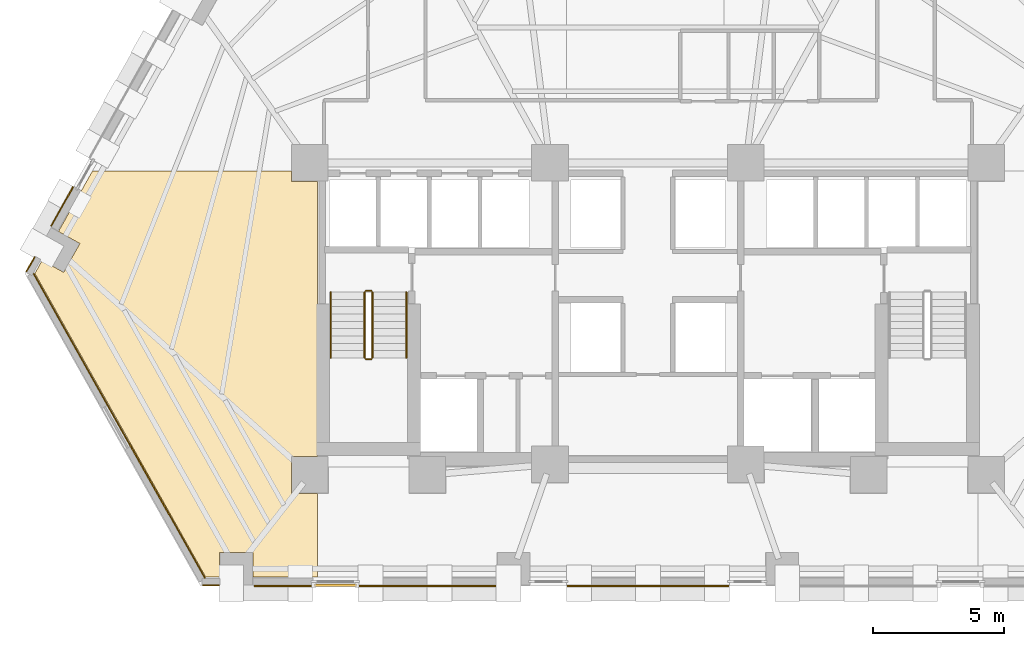
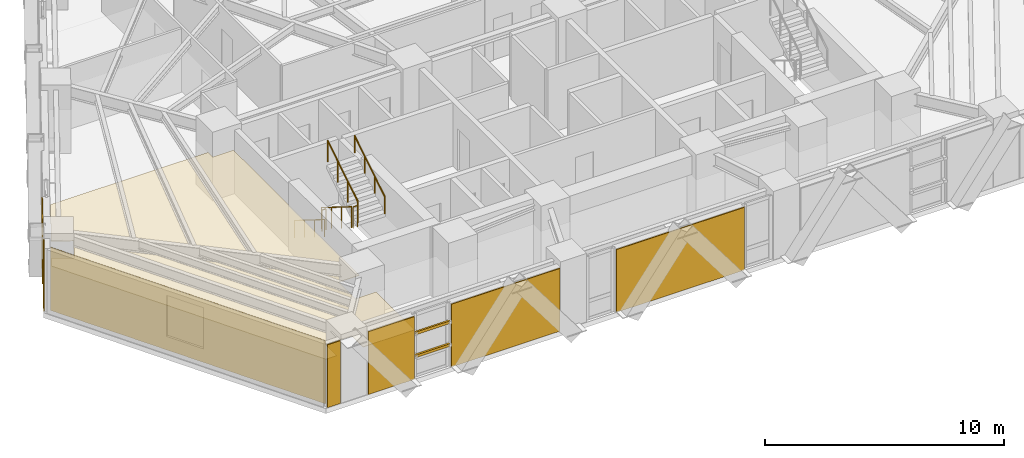
# One storey, part 10 of 13: 8 coverings, 6 railings, 2 shading devices.
"""IFC4 building model written with IfcOpenShell, lengths in metres."""

from ifc_helpers import new_model, si_unit, direction, frame, origin, origin_2d, place, context, subcontext, project, spatial, polyline, rectangle, circle, outline, extrude, material, layer, layer_set, material_profile, profile_set, type_object, element, save


model = new_model("IFC4")

# Units and contexts
model_context = context("Model", 3, precision=1e-05, world=origin(), true_north=direction((0.0, 1.0)))
body_context = subcontext(model_context, "Body", "Model", "MODEL_VIEW")
ifc_project = project(units=[si_unit("LENGTHUNIT", "METRE"), si_unit("AREAUNIT", "SQUARE_METRE"), si_unit("VOLUMEUNIT", "CUBIC_METRE"), si_unit("PLANEANGLEUNIT", "RADIAN"), si_unit("MASSUNIT", "GRAM", prefix="KILO")], contexts=[model_context])

# Site, building, storey
site_placement = place(None, origin())
site = spatial("IfcSite", under=ifc_project, at=site_placement, CompositionType="ELEMENT")
building_placement = place(site_placement, origin())
building = spatial("IfcBuilding", under=site, at=building_placement, Name="Quenlor Broadcast Tower", CompositionType="ELEMENT")
storey_placement = place(building_placement, frame((0.0, 0.0, 55.60009765625)))
storey = spatial("IfcBuildingStorey", under=building, at=storey_placement, Name="L14", CompositionType="ELEMENT", Elevation=55.60009765625)

# Covering
ifc_material_1 = material(Name="Acoustic Mineral Fibre Board", Category="other")
ifc_layer_1 = layer(ifc_material_1, 0.02490234375)
ifc_layer_set_1 = layer_set([ifc_layer_1], Name="Acoustic Perforated Mineral Tile Ceiling 25")
covering_type_1 = type_object("IfcCoveringType", Name="Acoustic Perforated Mineral Tile Ceiling 25", PredefinedType="CEILING", material=ifc_layer_set_1)
covering_1_placement = place(storey_placement, frame((0.0, 0.0, 2.224853515625)))
element("IfcCovering", 1, at=covering_1_placement, inside=storey, type_object=covering_type_1, Name="L14 Acoustic Ceiling L14-37-3", PredefinedType="CEILING", context=body_context, shape_type="SweptSolid", body=[
    extrude(outline(polyline([(-21.754150390625, -7.890625), (-22.575927734375, -7.428466796875), (-21.27734375, -5.1201171875), (-13.657958984375, -5.1201171875), (-13.657958984375, -5.508056640625), (-12.64990234375, -5.508056640625), (-12.64990234375, -16.0419921875), (-13.657958984375, -16.0419921875), (-13.657958984375, -17.4580078125), (-12.64990234375, -17.4580078125), (-12.64990234375, -20.659912109375), (-15.132080078125, -20.659912109375), (-15.132080078125, -19.717041015625), (-16.398193359375, -19.717041015625), (-16.398193359375, -20.659912109375), (-16.937255859375, -20.659912109375), (-23.477783203125, -9.031982421875), (-23.196533203125, -8.531982421875), (-22.374755859375, -8.994140625), (-21.754150390625, -7.890625)])), origin(), (0.0, 0.0, 1.0), 0.025146484375),
])

# Shading devices
ifc_material_2 = material(Name="Architectural Terracotta Ceramic", Category="masonry")
ifc_material_profile = material_profile(ifc_material_2, rectangle(XDim=0.090087890625, YDim=0.139892578125, at=origin_2d()))
ifc_profile_set = profile_set([ifc_material_profile], Name="Architectural Terracotta Ceramic BAG90x140")
shading_device_type = type_object("IfcShadingDeviceType", Name="Copper Terracotta Baguette Solar Screen 140", PredefinedType="USERDEFINED", material=ifc_profile_set)
for number, where, z_axis, x_axis, name in (
    (2, (-11.146484375, -20.98291015625, 1.169921875), (-1.0, 0.0, 0.0), (0.0, -1.0, 0.0), "L14 Terracotta Baguette Screen 1"),
    (3, (-11.146484375, -20.98291015625, 2.33984375), (-1.0, 0.0, 0.0), (0.0, -1.0, 0.0), "L14 Terracotta Baguette Screen 2"),
):
    element("IfcShadingDevice", number, at=place(storey_placement, frame(where, z_axis=z_axis, x_axis=x_axis)), inside=storey, type_object=shading_device_type, Name=name, ObjectType="BAGUETTE", PredefinedType="USERDEFINED", context=body_context, shape_type="SweptSolid", body=[
        extrude(rectangle(XDim=0.090087890625, YDim=0.139892578125, at=origin_2d()), origin(), (0.0, 0.0, 1.0), 1.6484375),
    ])

# Coverings
ifc_material_3 = material(Name="Architectural Terracotta Ceramic", Category="masonry")
ifc_layer_2 = layer(ifc_material_3, 0.044921875)
ifc_layer_set_2 = layer_set([ifc_layer_2], Name="Fluted Terracotta Rainscreen Cladding Panel")
covering_type_2 = type_object("IfcCoveringType", Name="Fluted Terracotta Rainscreen Cladding Panel", PredefinedType="CLADDING", material=ifc_layer_set_2)
covering_2_placement = place(storey_placement, frame((0.0, 0.0, 0.02001953125)))
element("IfcCovering", 4, at=covering_2_placement, inside=storey, type_object=covering_type_2, Name="L14 Terracotta Rainscreen Cladding L14-SHD-SS1", PredefinedType="CLADDING", context=body_context, shape_type="SweptSolid", body=[
    extrude(outline(polyline([(-16.425048828125, -20.951904296875), (-17.0458984375, -20.951904296875), (-17.0458984375, -20.9970703125), (-16.425048828125, -20.9970703125), (-16.425048828125, -20.951904296875)])), origin(), (0.0, 0.0, 1.0), 3.2099609375),
])
covering_3_placement = place(storey_placement, frame((0.0, 0.0, 0.02001953125)))
element("IfcCovering", 5, at=covering_3_placement, inside=storey, type_object=covering_type_2, Name="L14 Terracotta Rainscreen Cladding L14-SC-SP1", PredefinedType="CLADDING", context=body_context, shape_type="SweptSolid", body=[
    extrude(outline(polyline([(-5.82080078125, -20.98193359375), (-11.07666015625, -20.98193359375), (-11.07666015625, -21.027099609375), (-5.82080078125, -21.027099609375), (-5.82080078125, -20.98193359375)])), origin(), (0.0, 0.0, 1.0), 3.2099609375),
])
covering_4_placement = place(storey_placement, frame((0.0, 0.0, 0.02001953125)))
element("IfcCovering", 6, at=covering_4_placement, inside=storey, type_object=covering_type_2, Name="L14 Terracotta Rainscreen Cladding L14-SC-SP2", PredefinedType="CLADDING", context=body_context, shape_type="SweptSolid", body=[
    extrude(outline(polyline([(-12.864990234375, -20.98193359375), (-15.085205078125, -20.98193359375), (-15.085205078125, -21.027099609375), (-12.864990234375, -21.027099609375), (-12.864990234375, -20.98193359375)])), origin(), (0.0, 0.0, 1.0), 3.2099609375),
])
covering_5_placement = place(storey_placement, frame((0.0, 0.0, 0.02001953125)))
element("IfcCovering", 7, at=covering_5_placement, inside=storey, type_object=covering_type_2, Name="L14 Terracotta Rainscreen Cladding L14-S-SP1", PredefinedType="CLADDING", context=body_context, shape_type="SweptSolid", body=[
    extrude(outline(polyline([(3.09619140625, -20.98193359375), (-3.09619140625, -20.98193359375), (-3.09619140625, -21.027099609375), (3.09619140625, -21.027099609375), (3.09619140625, -20.98193359375)])), origin(), (0.0, 0.0, 1.0), 3.2099609375),
])
covering_6_placement = place(storey_placement, frame((0.0, 0.0, 0.02001953125)))
element("IfcCovering", 8, at=covering_6_placement, inside=storey, type_object=covering_type_2, Name="L14 Terracotta Rainscreen Cladding L14-SHD-NWS0", PredefinedType="CLADDING", context=body_context, shape_type="SweptSolid", body=[
    extrude(outline(polyline([(-23.781982421875, -8.97705078125), (-23.464111328125, -8.412109375), (-23.50341796875, -8.39013671875), (-23.8212890625, -8.955078125), (-23.781982421875, -8.97705078125)])), origin(), (0.0, 0.0, 1.0), 3.2099609375),
])
covering_7_placement = place(storey_placement, frame((0.0, 0.0, 0.02001953125)))
element("IfcCovering", 9, at=covering_7_placement, inside=storey, type_object=covering_type_2, Name="L14 Terracotta Rainscreen Cladding L14-NWA-SP1", PredefinedType="CLADDING", context=body_context, shape_type="SweptSolid", body=[
    extrude(outline(polyline([(-22.83349609375, -7.2294921875), (-21.988525390625, -5.727294921875), (-22.027587890625, -5.705322265625), (-22.872802734375, -7.20751953125), (-22.83349609375, -7.2294921875)])), origin(), (0.0, 0.0, 1.0), 3.2099609375),
])
covering_8_placement = place(storey_placement, frame((0.0, 0.0, 0.02001953125)))
element("IfcCovering", 10, at=covering_8_placement, inside=storey, type_object=covering_type_2, Name="L14 Terracotta Rainscreen Cladding L14-CNR-04", PredefinedType="CLADDING", context=body_context, shape_type="SweptSolid", body=[
    extrude(outline(polyline([(-23.547607421875, -9.046875), (-16.98388671875, -20.71533203125), (-16.94482421875, -20.693359375), (-23.50830078125, -9.02490234375), (-23.547607421875, -9.046875)])), origin(), (0.0, 0.0, 1.0), 3.2099609375),
])

# Railings
ifc_material_4 = material(Name="Anodised Aluminium", Category="aluminium")
railing_type_1 = type_object("IfcRailingType", Name="Stainless Aluminium Wall Handrail 900", PredefinedType="HANDRAIL", material=ifc_material_4)
railing_1_placement = place(storey_placement, frame((-12.14990234375, -9.75, 0.1748046875)))
element("IfcRailing", 11, at=railing_1_placement, inside=storey, type_object=railing_type_1, Name="L14 ST-1 stair handrail 1", PredefinedType="HANDRAIL", context=body_context, shape_type="SweptSolid", body=[
    extrude(circle(Radius=0.02392578125, at=origin_2d()), frame((0.0, 0.0, 0.8759765625), z_axis=(0.0, -0.847970611238, 0.530043245855), x_axis=(1.0, 0.0, 0.0)), (0.0, 0.0, 1.0), 2.971923828125),
    extrude(circle(Radius=0.02099609375, at=origin_2d()), origin(), (0.0, 0.0, 1.0), 0.851806640625),
    extrude(circle(Radius=0.02099609375, at=origin_2d()), frame((0.0, -0.840087890625, 0.525146484375)), (0.0, 0.0, 1.0), 0.851806640625),
    extrude(circle(Radius=0.02099609375, at=origin_2d()), frame((0.0, -1.679931640625, 1.050048828125)), (0.0, 0.0, 1.0), 0.851806640625),
    extrude(circle(Radius=0.02099609375, at=origin_2d()), frame((0.0, -2.52001953125, 1.5751953125)), (0.0, 0.0, 1.0), 0.851806640625),
])
railing_2_placement = place(storey_placement, frame((-9.25, -12.27001953125, 1.9248046875)))
element("IfcRailing", 12, at=railing_2_placement, inside=storey, type_object=railing_type_1, Name="L14 ST-1 stair handrail 2", PredefinedType="HANDRAIL", context=body_context, shape_type="SweptSolid", body=[
    extrude(circle(Radius=0.02392578125, at=origin_2d()), frame((0.0, 0.0, 0.8759765625), z_axis=(0.0, 0.847970611238, 0.530043245855), x_axis=(-1.0, 0.0, 0.0)), (0.0, 0.0, 1.0), 2.971923828125),
    extrude(circle(Radius=0.02099609375, at=origin_2d()), origin(), (0.0, 0.0, 1.0), 0.851806640625),
    extrude(circle(Radius=0.02099609375, at=origin_2d()), frame((0.0, 0.840087890625, 0.525146484375)), (0.0, 0.0, 1.0), 0.851806640625),
    extrude(circle(Radius=0.02099609375, at=origin_2d()), frame((0.0, 1.679931640625, 1.050048828125)), (0.0, 0.0, 1.0), 0.851806640625),
    extrude(circle(Radius=0.02099609375, at=origin_2d()), frame((0.0, 2.52001953125, 1.5751953125)), (0.0, 0.0, 1.0), 0.851806640625),
])
ifc_material_5 = material(Name="Steel S355", Category="steel")
railing_type_2 = type_object("IfcRailingType", Name="Tubular Steel S355 Stair Guardrail 1100", PredefinedType="BALUSTRADE", material=ifc_material_5)
railing_3_placement = place(storey_placement, frame((-10.85009765625, -9.75, 0.1748046875)))
element("IfcRailing", 13, at=railing_3_placement, inside=storey, type_object=railing_type_2, Name="L14 ST-1 stair guard 1", PredefinedType="BALUSTRADE", context=body_context, shape_type="SweptSolid", body=[
    extrude(circle(Radius=0.02392578125, at=origin_2d()), frame((0.0, 0.0, 1.076171875), z_axis=(0.0, -0.847970611238, 0.530043245855), x_axis=(1.0, 0.0, 0.0)), (0.0, 0.0, 1.0), 2.971923828125),
    extrude(circle(Radius=0.02099609375, at=origin_2d()), origin(), (0.0, 0.0, 1.0), 1.052001953125),
    extrude(circle(Radius=0.02099609375, at=origin_2d()), frame((0.0, -0.840087890625, 0.525146484375)), (0.0, 0.0, 1.0), 1.052001953125),
    extrude(circle(Radius=0.02099609375, at=origin_2d()), frame((0.0, -1.679931640625, 1.050048828125)), (0.0, 0.0, 1.0), 1.052001953125),
    extrude(circle(Radius=0.02099609375, at=origin_2d()), frame((0.0, -2.52001953125, 1.5751953125)), (0.0, 0.0, 1.0), 1.052001953125),
])
railing_4_placement = place(storey_placement, frame((-10.800048828125, -12.320068359375, 1.75)))
element("IfcRailing", 14, at=railing_4_placement, inside=storey, type_object=railing_type_2, Name="L14 ST-1 stair guard 2", PredefinedType="BALUSTRADE", context=body_context, shape_type="SweptSolid", body=[
    extrude(circle(Radius=0.02392578125, at=origin_2d()), frame((0.0, 0.0, 1.076171875), z_axis=(1.0, 0.0, 0.0), x_axis=(0.0, 1.0, 0.0)), (0.0, 0.0, 1.0), 0.199951171875),
    extrude(circle(Radius=0.02099609375, at=origin_2d()), origin(), (0.0, 0.0, 1.0), 1.052001953125),
    extrude(circle(Radius=0.02099609375, at=origin_2d()), frame((0.199951171875, 0.0, 0.0)), (0.0, 0.0, 1.0), 1.052001953125),
])
railing_5_placement = place(storey_placement, frame((-10.550048828125, -12.27001953125, 1.9248046875)))
element("IfcRailing", 15, at=railing_5_placement, inside=storey, type_object=railing_type_2, Name="L14 ST-1 stair guard 3", PredefinedType="BALUSTRADE", context=body_context, shape_type="SweptSolid", body=[
    extrude(circle(Radius=0.02392578125, at=origin_2d()), frame((0.0, 0.0, 1.076171875), z_axis=(0.0, 0.847970611238, 0.530043245855), x_axis=(-1.0, 0.0, 0.0)), (0.0, 0.0, 1.0), 2.971923828125),
    extrude(circle(Radius=0.02099609375, at=origin_2d()), origin(), (0.0, 0.0, 1.0), 1.052001953125),
    extrude(circle(Radius=0.02099609375, at=origin_2d()), frame((0.0, 0.840087890625, 0.525146484375)), (0.0, 0.0, 1.0), 1.052001953125),
    extrude(circle(Radius=0.02099609375, at=origin_2d()), frame((0.0, 1.679931640625, 1.050048828125)), (0.0, 0.0, 1.0), 1.052001953125),
    extrude(circle(Radius=0.02099609375, at=origin_2d()), frame((0.0, 2.52001953125, 1.5751953125)), (0.0, 0.0, 1.0), 1.052001953125),
])
railing_6_placement = place(storey_placement, frame((-10.800048828125, -9.699951171875, 0.0)))
element("IfcRailing", 16, at=railing_6_placement, inside=storey, type_object=railing_type_2, Name="L14 ST-1 stair guard 4", PredefinedType="BALUSTRADE", context=body_context, shape_type="SweptSolid", body=[
    extrude(circle(Radius=0.02392578125, at=origin_2d()), frame((0.0, 0.0, 1.076171875), z_axis=(1.0, 0.0, 0.0), x_axis=(0.0, 1.0, 0.0)), (0.0, 0.0, 1.0), 0.199951171875),
    extrude(circle(Radius=0.02099609375, at=origin_2d()), origin(), (0.0, 0.0, 1.0), 1.052001953125),
    extrude(circle(Radius=0.02099609375, at=origin_2d()), frame((0.199951171875, 0.0, 0.0)), (0.0, 0.0, 1.0), 1.052001953125),
])

save(model, "model.ifc")
